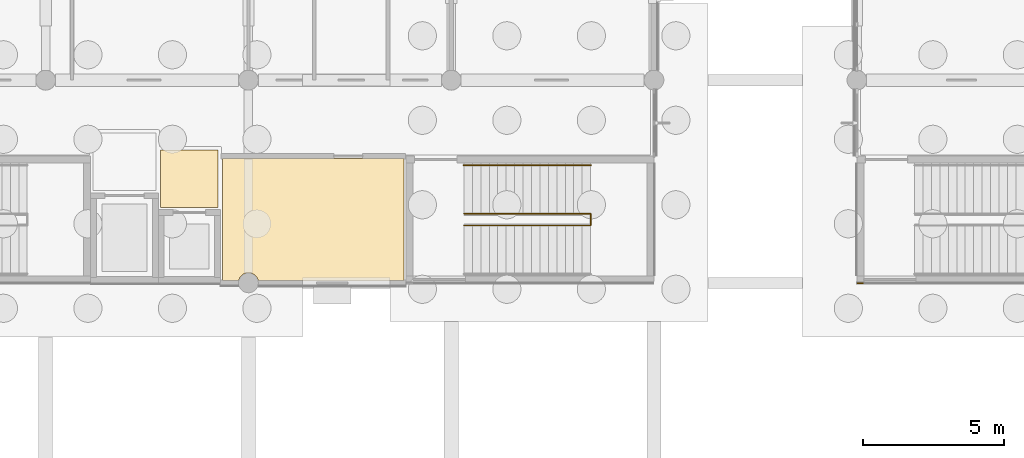
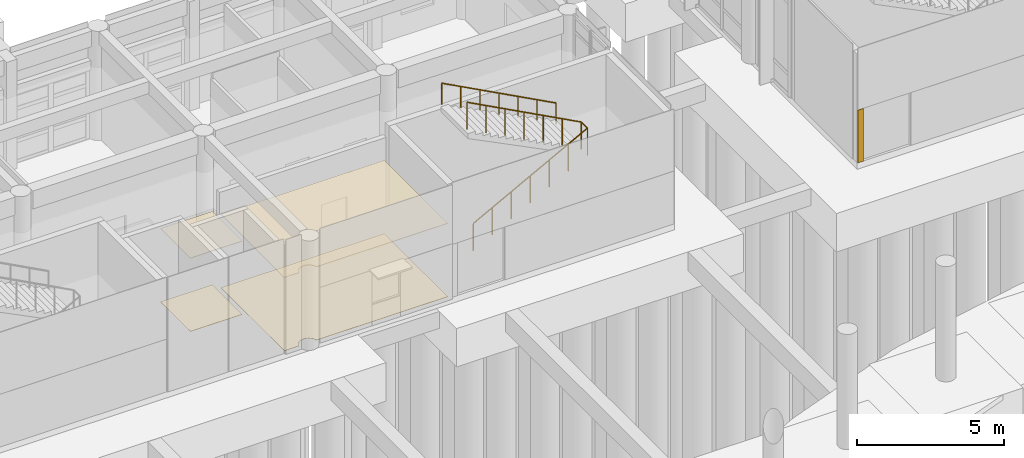
# One storey, part 94 of 103: 5 coverings, 2 railings.
"""IFC4 building model written with IfcOpenShell, lengths in metres."""

from ifc_helpers import new_model, si_unit, direction, frame, origin, origin_2d, place, context, subcontext, project, spatial, polyline, rectangle, circle, outline, extrude, material, layer, layer_set, type_object, element, save


model = new_model("IFC4")

# Units and contexts
model_context = context("Model", 3, precision=1e-05, world=origin(), true_north=direction((0.0, 1.0)))
body_context = subcontext(model_context, "Body", "Model", "MODEL_VIEW")
ifc_project = project(units=[si_unit("LENGTHUNIT", "METRE"), si_unit("AREAUNIT", "SQUARE_METRE"), si_unit("VOLUMEUNIT", "CUBIC_METRE"), si_unit("PLANEANGLEUNIT", "RADIAN"), si_unit("MASSUNIT", "GRAM", prefix="KILO")], contexts=[model_context])

# Site, building, storey
site_placement = place(None, origin())
site = spatial("IfcSite", under=ifc_project, at=site_placement, CompositionType="ELEMENT")
building_placement = place(site_placement, origin())
building = spatial("IfcBuilding", under=site, at=building_placement, Name="Namkhue Oval Health Centre", CompositionType="ELEMENT")
storey_placement = place(building_placement, origin())
storey = spatial("IfcBuildingStorey", under=building, at=storey_placement, Name="L00", CompositionType="ELEMENT", Elevation=0.0)

# Coverings
ifc_material_1 = material(Name="Acoustic mineral-fibre cleanroom ceiling", Category="gypsum")
ifc_layer_1 = layer(ifc_material_1, 0.02001953125)
ifc_layer_set_1 = layer_set([ifc_layer_1], Name="Acoustic mineral-fibre cleanroom ceiling")
covering_type_1 = type_object("IfcCoveringType", Name="ACOUSTIC CLEANROOM CEILING 20", PredefinedType="CEILING", material=ifc_layer_set_1)
covering_1_placement = place(storey_placement, frame((0.0, 0.0, 3.050048828125)))
element("IfcCovering", 1, at=covering_1_placement, inside=storey, type_object=covering_type_1, Name="Acoustic Ceiling L00-LL2 Lift Lobby LF-02", PredefinedType="CEILING", context=body_context, shape_type="SweptSolid", body=[
    extrude(outline(polyline([(68.8798828125, 92.679931640625), (68.8798828125, 94.719970703125), (70.919921875, 94.719970703125), (70.919921875, 92.679931640625), (68.8798828125, 92.679931640625)])), origin(), (0.0, 0.0, 1.0), 0.02001953125),
])
covering_2_placement = place(storey_placement, frame((0.0, 0.0, 3.050048828125)))
element("IfcCovering", 2, at=covering_2_placement, inside=storey, type_object=covering_type_1, Name="Acoustic Ceiling L00-212 Fever Screening Examination Room", PredefinedType="CEILING", context=body_context, shape_type="SweptSolid", body=[
    extrude(outline(polyline([(72.348876953125, 90.0849609375), (72.311767578125, 90.179931640625), (72.254638671875, 90.254638671875), (72.179931640625, 90.311767578125), (72.09326171875, 90.34765625), (72.0, 90.360107421875), (71.90673828125, 90.34765625), (71.820068359375, 90.311767578125), (71.745361328125, 90.254638671875), (71.688232421875, 90.179931640625), (71.651123046875, 90.0849609375), (71.080078125, 90.0849609375), (71.080078125, 94.419921875), (77.52001953125, 94.419921875), (77.52001953125, 90.0849609375), (72.348876953125, 90.0849609375)])), origin(), (0.0, 0.0, 1.0), 0.02001953125),
])
ifc_material_2 = material(Name="Homogeneous anti-bacterial clinical vinyl flooring", Category="plastic")
ifc_layer_2 = layer(ifc_material_2, 0.014892578125)
ifc_layer_set_2 = layer_set([ifc_layer_2], Name="Homogeneous anti-bacterial clinical vinyl flooring")
covering_type_2 = type_object("IfcCoveringType", Name="CLINICAL ANTIBACTERIAL VINYL FLOORING 15", PredefinedType="FLOORING", material=ifc_layer_set_2)
covering_3_placement = place(storey_placement, origin())
element("IfcCovering", 3, at=covering_3_placement, inside=storey, type_object=covering_type_2, Name="Clinical Flooring L00-LL2 Lift Lobby LF-02", PredefinedType="FLOORING", context=body_context, shape_type="SweptSolid", body=[
    extrude(outline(polyline([(68.8798828125, 92.679931640625), (68.8798828125, 94.719970703125), (70.919921875, 94.719970703125), (70.919921875, 92.679931640625), (68.8798828125, 92.679931640625)])), origin(), (0.0, 0.0, 1.0), 0.014892578125),
])
covering_4_placement = place(storey_placement, origin())
element("IfcCovering", 4, at=covering_4_placement, inside=storey, type_object=covering_type_2, Name="Clinical Flooring L00-212 Fever Screening Examination Room", PredefinedType="FLOORING", context=body_context, shape_type="SweptSolid", body=[
    extrude(outline(polyline([(72.348876953125, 90.0849609375), (72.311767578125, 90.179931640625), (72.254638671875, 90.254638671875), (72.179931640625, 90.311767578125), (72.09326171875, 90.34765625), (72.0, 90.360107421875), (71.90673828125, 90.34765625), (71.820068359375, 90.311767578125), (71.745361328125, 90.254638671875), (71.688232421875, 90.179931640625), (71.651123046875, 90.0849609375), (71.080078125, 90.0849609375), (71.080078125, 94.419921875), (77.52001953125, 94.419921875), (77.52001953125, 90.0849609375), (72.348876953125, 90.0849609375)])), origin(), (0.0, 0.0, 1.0), 0.014892578125),
])

# Railings
ifc_material_3 = material(Name="Brushed stainless steel 316L balustrade with laminated glass infill", Category="steel")
railing_type_1 = type_object("IfcRailingType", Name="INTERIOR BALUSTRADE GUARD 1150", PredefinedType="BALUSTRADE", material=ifc_material_3)
railing_1_placement = place(storey_placement, frame((79.64990234375, 92.0400390625, 0.0)))
element("IfcRailing", 5, at=railing_1_placement, inside=storey, type_object=railing_type_1, Name="Stair ST-04 L00 Inner Well Guard", PredefinedType="BALUSTRADE", context=body_context, shape_type="SweptSolid", body=[
    extrude(circle(Radius=0.02392578125, at=origin_2d()), frame((0.0, 0.0, 1.1259765625), z_axis=(0.882360891967, 0.0, 0.470573327259), x_axis=(0.0, 1.0, 0.0)), (0.0, 0.0, 1.0), 5.099853515625),
    extrude(circle(Radius=0.02392578125, at=origin_2d()), frame((4.5, 0.0, 3.52587890625), z_axis=(0.0, 1.0, 0.0), x_axis=(-1.0, 0.0, 0.0)), (0.0, 0.0, 1.0), 0.419921875),
    extrude(circle(Radius=0.02392578125, at=origin_2d()), frame((4.5, 0.419921875, 3.52587890625), z_axis=(-0.882341014787, 0.0, 0.470610596591), x_axis=(0.0, -1.0, 0.0)), (0.0, 0.0, 1.0), 5.10009765625),
    extrude(circle(Radius=0.02099609375, at=origin_2d()), origin(), (0.0, 0.0, 1.0), 1.101806640625),
    extrude(circle(Radius=0.02099609375, at=origin_2d()), frame((0.75, 0.0, 0.39990234375)), (0.0, 0.0, 1.0), 1.101806640625),
    extrude(circle(Radius=0.02099609375, at=origin_2d()), frame((1.5, 0.0, 0.800048828125)), (0.0, 0.0, 1.0), 1.101806640625),
    extrude(circle(Radius=0.02099609375, at=origin_2d()), frame((2.25, 0.0, 1.199951171875)), (0.0, 0.0, 1.0), 1.101806640625),
    extrude(circle(Radius=0.02099609375, at=origin_2d()), frame((3.0, 0.0, 1.599853515625)), (0.0, 0.0, 1.0), 1.101806640625),
    extrude(circle(Radius=0.02099609375, at=origin_2d()), frame((3.75, 0.0, 2.0)), (0.0, 0.0, 1.0), 1.101806640625),
    extrude(circle(Radius=0.02099609375, at=origin_2d()), frame((4.5, 0.0, 2.39990234375)), (0.0, 0.0, 1.0), 1.101806640625),
    extrude(circle(Radius=0.02099609375, at=origin_2d()), frame((4.5, 0.419921875, 2.39990234375)), (0.0, 0.0, 1.0), 1.101806640625),
    extrude(circle(Radius=0.02099609375, at=origin_2d()), frame((3.75, 0.419921875, 2.7998046875)), (0.0, 0.0, 1.0), 1.101806640625),
    extrude(circle(Radius=0.02099609375, at=origin_2d()), frame((3.0, 0.419921875, 3.199951171875)), (0.0, 0.0, 1.0), 1.101806640625),
    extrude(circle(Radius=0.02099609375, at=origin_2d()), frame((2.25, 0.419921875, 3.60009765625)), (0.0, 0.0, 1.0), 1.101806640625),
    extrude(circle(Radius=0.02099609375, at=origin_2d()), frame((1.5, 0.419921875, 4.0)), (0.0, 0.0, 1.0), 1.101806640625),
    extrude(circle(Radius=0.02099609375, at=origin_2d()), frame((0.75, 0.419921875, 4.39990234375)), (0.0, 0.0, 1.0), 1.101806640625),
    extrude(circle(Radius=0.02099609375, at=origin_2d()), frame((0.0, 0.419921875, 4.800048828125)), (0.0, 0.0, 1.0), 1.101806640625),
])
ifc_material_4 = material(Name="Brushed stainless steel 304 tubular handrail", Category="steel")
railing_type_2 = type_object("IfcRailingType", Name="INTERIOR STAIR HANDRAIL 900", PredefinedType="HANDRAIL", material=ifc_material_4)
railing_2_placement = place(storey_placement, frame((84.14990234375, 94.179931640625, 2.39990234375)))
element("IfcRailing", 6, at=railing_2_placement, inside=storey, type_object=railing_type_2, Name="Stair ST-04 L00 Flight 2 Handrail", PredefinedType="HANDRAIL", context=body_context, shape_type="SweptSolid", body=[
    extrude(circle(Radius=0.02392578125, at=origin_2d()), frame((0.0, 0.0, 0.8759765625), z_axis=(-0.882341014787, 0.0, 0.470610596591), x_axis=(0.0, -1.0, 0.0)), (0.0, 0.0, 1.0), 5.10009765625),
    extrude(circle(Radius=0.02099609375, at=origin_2d()), origin(), (0.0, 0.0, 1.0), 0.851806640625),
    extrude(circle(Radius=0.02099609375, at=origin_2d()), frame((-0.75, 0.0, 0.39990234375)), (0.0, 0.0, 1.0), 0.851806640625),
    extrude(circle(Radius=0.02099609375, at=origin_2d()), frame((-1.5, 0.0, 0.800048828125)), (0.0, 0.0, 1.0), 0.851806640625),
    extrude(circle(Radius=0.02099609375, at=origin_2d()), frame((-2.25, 0.0, 1.2001953125)), (0.0, 0.0, 1.0), 0.851806640625),
    extrude(circle(Radius=0.02099609375, at=origin_2d()), frame((-3.0, 0.0, 1.60009765625)), (0.0, 0.0, 1.0), 0.851806640625),
    extrude(circle(Radius=0.02099609375, at=origin_2d()), frame((-3.75, 0.0, 2.0)), (0.0, 0.0, 1.0), 0.851806640625),
    extrude(circle(Radius=0.02099609375, at=origin_2d()), frame((-4.5, 0.0, 2.400146484375)), (0.0, 0.0, 1.0), 0.851806640625),
])

# Covering
ifc_material_5 = material(Name="White glass-fibre reinforced concrete GRC rainscreen cladding", Category="concrete")
ifc_layer_3 = layer(ifc_material_5, 0.02490234375)
ifc_layer_set_3 = layer_set([ifc_layer_3], Name="White glass-fibre reinforced concrete GRC rainscreen cladding")
covering_type_3 = type_object("IfcCoveringType", Name="WHITE GRC RAINSCREEN CLADDING 25", PredefinedType="CLADDING", material=ifc_layer_set_3)
covering_5_placement = place(storey_placement, frame((93.7275390625, 89.988037109375, 0.01025390625), z_axis=(0.0, 0.0, 1.0), x_axis=(1.0, 0.0, 0.0)))
element("IfcCovering", 7, at=covering_5_placement, inside=storey, type_object=covering_type_3, Name="Core SC-05 L00 Core S White GRC Cladding 2", PredefinedType="CLADDING", context=body_context, shape_type="SweptSolid", body=[
    extrude(rectangle(XDim=0.215087890625, YDim=0.02490234375, at=origin_2d()), origin(), (0.0, 0.0, 1.0), 2.199951171875),
])

save(model, "model.ifc")
